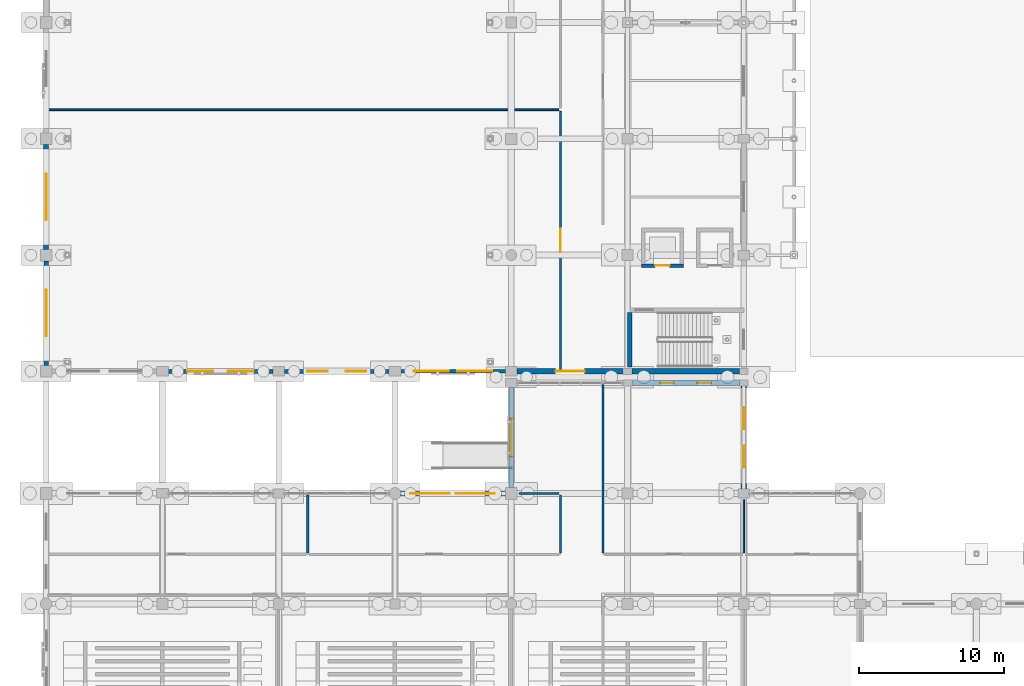
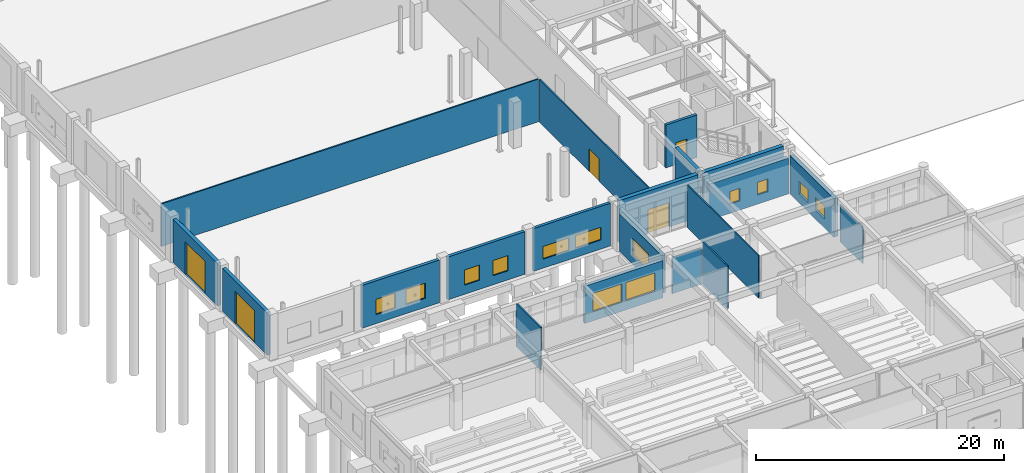
# One storey, part 130 of 166: 20 walls, 13 windows, 5 doors, 18 openings.
"""IFC4 building model written with IfcOpenShell, lengths in metres."""

from ifc_helpers import new_model, si_unit, direction, frame, frame_2d, origin, place, context, subcontext, project, spatial, rectangle, extrude, material, layer, layer_set, type_object, element, fill, save


model = new_model("IFC4")

# Units and contexts
model_context = context("Model", 3, precision=1e-05, world=origin(), true_north=direction((0.0, 1.0)))
body_context = subcontext(model_context, "Body", "Model", "MODEL_VIEW")
ifc_project = project(units=[si_unit("LENGTHUNIT", "METRE"), si_unit("AREAUNIT", "SQUARE_METRE"), si_unit("VOLUMEUNIT", "CUBIC_METRE"), si_unit("PLANEANGLEUNIT", "RADIAN"), si_unit("MASSUNIT", "GRAM", prefix="KILO")], contexts=[model_context])

# Site, building, storey
site_placement = place(None, origin())
site = spatial("IfcSite", under=ifc_project, at=site_placement, CompositionType="ELEMENT")
building_placement = place(site_placement, origin())
building = spatial("IfcBuilding", under=site, at=building_placement, Name="Kharva Crest Polytechnic", CompositionType="ELEMENT")
storey_placement = place(building_placement, origin())
storey = spatial("IfcBuildingStorey", under=building, at=storey_placement, Name="L00", CompositionType="ELEMENT", Elevation=0.0)

# Wall
ifc_material_1 = material(Name="Concrete C40/50", Category="concrete")
ifc_layer_1 = layer(ifc_material_1, 0.300048828125, Name="Concrete C40/50")
ifc_layer_set_1 = layer_set([ifc_layer_1], Name="Concrete C40/50")
wall_type_1 = type_object("IfcWallType", Name="WL-CORE-CW2-300", PredefinedType="SHEAR", material=ifc_layer_set_1)
wall_1_placement = place(storey_placement, frame((40.14990234375, 39.10009765625, 0.0), z_axis=(0.0, 0.0, 1.0), x_axis=(0.0, 1.0, 0.0)))
element("IfcWall", 1, at=wall_1_placement, inside=storey, type_object=wall_type_1, Name="L00 West Workshop Core C2 West Shear Wall", PredefinedType="SHEAR", context=body_context, shape_type="SweptSolid", body=[
    extrude(rectangle(XDim=3.760009765625, YDim=0.300048828125, at=frame_2d((1.8798828125, 0.0))), origin(), (0.0, 0.0, 1.0), 4.219970703125),
])

# Wall, openings, windows
ifc_material_2 = material(Name="Kiln brick masonry", Category="masonry")
ifc_layer_2 = layer(ifc_material_2, 0.260009765625, Name="Kiln brick masonry")
ifc_layer_set_2 = layer_set([ifc_layer_2], Name="Kiln brick masonry")
wall_type_2 = type_object("IfcWallType", Name="WL-EXT-BRK-260", PredefinedType="SOLIDWALL", material=ifc_layer_set_2)
wall_2_placement = place(storey_placement, frame((24.39501953125, 38.800048828125, 0.0), z_axis=(0.0, 0.0, 1.0), x_axis=(1.0, 0.0, 0.0)))
wall_2 = element("IfcWall", 2, at=wall_2_placement, inside=storey, type_object=wall_type_2, Name="L00 Exterior Brick Wall 69", PredefinedType="SOLIDWALL", context=body_context, shape_type="SweptSolid", body=[
    extrude(rectangle(XDim=7.2099609375, YDim=0.260009765625, at=frame_2d((3.60498046875, 0.0))), origin(), (0.0, 0.0, 1.0), 4.219970703125),
])
opening_1_placement = place(wall_2_placement, frame((0.909912109375, 0.0, 0.89990234375)))
opening_1 = element("IfcOpeningElement", 3, at=opening_1_placement, cuts=wall_2, Name="Opening W17", PredefinedType="OPENING", context=body_context, shape_type="SweptSolid", body=[
    extrude(rectangle(XDim=2.39990234375, YDim=1.25, at=frame_2d((1.199951171875, 0.625))), frame((0.0, 0.139892578125, 0.0), z_axis=(0.0, -1.0, 0.0), x_axis=(1.0, 0.0, 0.0)), (0.0, 0.0, 1.0), 0.280029296875),
])
opening_2_placement = place(wall_2_placement, frame((3.89990234375, 0.0, 0.89990234375)))
opening_2 = element("IfcOpeningElement", 4, at=opening_2_placement, cuts=wall_2, Name="Opening W17", PredefinedType="OPENING", context=body_context, shape_type="SweptSolid", body=[
    extrude(rectangle(XDim=2.39990234375, YDim=1.25, at=frame_2d((1.199951171875, 0.625))), frame((0.0, 0.139892578125, 0.0), z_axis=(0.0, -1.0, 0.0), x_axis=(1.0, 0.0, 0.0)), (0.0, 0.0, 1.0), 0.280029296875),
])
ifc_material_3 = material(Name="Anodised aluminium", Category="aluminium")
window_type_1 = type_object("IfcWindowType", Name="WIN-ALU-2400X1250", PartitioningType="SINGLE_PANEL", PredefinedType="WINDOW", material=ifc_material_3)
window_1_placement = place(opening_1_placement, origin())
window_1 = element("IfcWindow", 5, at=window_1_placement, inside=storey, type_object=window_type_1, Name="L00 Exterior Window 88", OverallHeight=1.25, OverallWidth=2.39990234375, PartitioningType="SINGLE_PANEL", PredefinedType="WINDOW", context=body_context, shape_type="SweptSolid", body=[
    extrude(rectangle(XDim=2.39990234375, YDim=1.25, at=frame_2d((1.199951171875, 0.625))), frame((0.0, 0.030029296875, 0.0), z_axis=(0.0, -1.0, 0.0), x_axis=(1.0, 0.0, 0.0)), (0.0, 0.0, 1.0), 0.06005859375),
])
fill(opening_1, window_1)
window_2_placement = place(opening_2_placement, origin())
window_2 = element("IfcWindow", 6, at=window_2_placement, inside=storey, type_object=window_type_1, Name="L00 Exterior Window 89", OverallHeight=1.25, OverallWidth=2.39990234375, PartitioningType="SINGLE_PANEL", PredefinedType="WINDOW", context=body_context, shape_type="SweptSolid", body=[
    extrude(rectangle(XDim=2.39990234375, YDim=1.25, at=frame_2d((1.199951171875, 0.625))), frame((0.0, 0.030029296875, 0.0), z_axis=(0.0, -1.0, 0.0), x_axis=(1.0, 0.0, 0.0)), (0.0, 0.0, 1.0), 0.06005859375),
])
fill(opening_2, window_2)

ifc_layer_3 = layer(ifc_material_2, 0.27490234375, Name="Kiln brick masonry")
ifc_layer_set_3 = layer_set([ifc_layer_3], Name="Kiln brick masonry")
wall_type_3 = type_object("IfcWallType", Name="WL-EXT-BRK-275", PredefinedType="SOLIDWALL", material=ifc_layer_set_3)
wall_3_placement = place(storey_placement, frame((16.39501953125, 38.800048828125, 0.0), z_axis=(0.0, 0.0, 1.0), x_axis=(1.0, 0.0, 0.0)))
wall_3 = element("IfcWall", 7, at=wall_3_placement, inside=storey, type_object=wall_type_3, Name="L00 Exterior Brick Wall 68", PredefinedType="SOLIDWALL", context=body_context, shape_type="SweptSolid", body=[
    extrude(rectangle(XDim=7.2099609375, YDim=0.27490234375, at=frame_2d((3.60498046875, 0.0))), origin(), (0.0, 0.0, 1.0), 4.219970703125),
])
opening_3_placement = place(wall_3_placement, frame((1.576904296875, 0.0, 0.89990234375)))
opening_3 = element("IfcOpeningElement", 8, at=opening_3_placement, cuts=wall_3, Name="Opening W15", PredefinedType="OPENING", context=body_context, shape_type="SweptSolid", body=[
    extrude(rectangle(XDim=1.39990234375, YDim=1.5, at=frame_2d((0.699951171875, 0.75))), frame((0.0, 0.1474609375, 0.0), z_axis=(0.0, -1.0, 0.0), x_axis=(1.0, 0.0, 0.0)), (0.0, 0.0, 1.0), 0.294921875),
])
opening_4_placement = place(wall_3_placement, frame((4.23291015625, 0.0, 0.89990234375)))
opening_4 = element("IfcOpeningElement", 9, at=opening_4_placement, cuts=wall_3, Name="Opening W15", PredefinedType="OPENING", context=body_context, shape_type="SweptSolid", body=[
    extrude(rectangle(XDim=1.39990234375, YDim=1.5, at=frame_2d((0.699951171875, 0.75))), frame((0.0, 0.1474609375, 0.0), z_axis=(0.0, -1.0, 0.0), x_axis=(1.0, 0.0, 0.0)), (0.0, 0.0, 1.0), 0.294921875),
])
window_type_2 = type_object("IfcWindowType", Name="WIN-ALU-1400X1500", PartitioningType="SINGLE_PANEL", PredefinedType="WINDOW", material=ifc_material_3)
window_3_placement = place(opening_3_placement, origin())
window_3 = element("IfcWindow", 10, at=window_3_placement, inside=storey, type_object=window_type_2, Name="L00 Exterior Window 86", OverallHeight=1.5, OverallWidth=1.39990234375, PartitioningType="SINGLE_PANEL", PredefinedType="WINDOW", context=body_context, shape_type="SweptSolid", body=[
    extrude(rectangle(XDim=1.39990234375, YDim=1.5, at=frame_2d((0.699951171875, 0.75))), frame((0.0, 0.030029296875, 0.0), z_axis=(0.0, -1.0, 0.0), x_axis=(1.0, 0.0, 0.0)), (0.0, 0.0, 1.0), 0.06005859375),
])
fill(opening_3, window_3)
window_4_placement = place(opening_4_placement, origin())
window_4 = element("IfcWindow", 11, at=window_4_placement, inside=storey, type_object=window_type_2, Name="L00 Exterior Window 87", OverallHeight=1.5, OverallWidth=1.39990234375, PartitioningType="SINGLE_PANEL", PredefinedType="WINDOW", context=body_context, shape_type="SweptSolid", body=[
    extrude(rectangle(XDim=1.39990234375, YDim=1.5, at=frame_2d((0.699951171875, 0.75))), frame((0.0, 0.030029296875, 0.0), z_axis=(0.0, -1.0, 0.0), x_axis=(1.0, 0.0, 0.0)), (0.0, 0.0, 1.0), 0.06005859375),
])
fill(opening_4, window_4)

ifc_layer_4 = layer(ifc_material_2, 0.2900390625, Name="Kiln brick masonry")
ifc_layer_set_4 = layer_set([ifc_layer_4], Name="Kiln brick masonry")
wall_type_4 = type_object("IfcWallType", Name="WL-EXT-BRK-290", PredefinedType="SOLIDWALL", material=ifc_layer_set_4)
wall_4_placement = place(storey_placement, frame((8.39501953125, 38.800048828125, 0.0), z_axis=(0.0, 0.0, 1.0), x_axis=(1.0, 0.0, 0.0)))
wall_4 = element("IfcWall", 12, at=wall_4_placement, inside=storey, type_object=wall_type_4, Name="L00 Exterior Brick Wall 67", PredefinedType="SOLIDWALL", context=body_context, shape_type="SweptSolid", body=[
    extrude(rectangle(XDim=7.2099609375, YDim=0.2900390625, at=frame_2d((3.60498046875, 0.0))), origin(), (0.0, 0.0, 1.0), 4.219970703125),
])
opening_5_placement = place(wall_4_placement, frame((1.31005859375, 0.0, 0.89990234375)))
opening_5 = element("IfcOpeningElement", 13, at=opening_5_placement, cuts=wall_4, Name="Opening W13", PredefinedType="OPENING", context=body_context, shape_type="SweptSolid", body=[
    extrude(rectangle(XDim=1.800048828125, YDim=1.5, at=frame_2d((0.89990234375, 0.75))), frame((0.0, 0.155029296875, 0.0), z_axis=(0.0, -1.0, 0.0), x_axis=(1.0, 0.0, 0.0)), (0.0, 0.0, 1.0), 0.31005859375),
])
opening_6_placement = place(wall_4_placement, frame((4.10009765625, 0.0, 0.89990234375)))
opening_6 = element("IfcOpeningElement", 14, at=opening_6_placement, cuts=wall_4, Name="Opening W13", PredefinedType="OPENING", context=body_context, shape_type="SweptSolid", body=[
    extrude(rectangle(XDim=1.800048828125, YDim=1.5, at=frame_2d((0.89990234375, 0.75))), frame((0.0, 0.155029296875, 0.0), z_axis=(0.0, -1.0, 0.0), x_axis=(1.0, 0.0, 0.0)), (0.0, 0.0, 1.0), 0.31005859375),
])
window_type_3 = type_object("IfcWindowType", Name="WIN-ALU-1800X1500", PartitioningType="SINGLE_PANEL", PredefinedType="WINDOW", material=ifc_material_3)
window_5_placement = place(opening_5_placement, origin())
window_5 = element("IfcWindow", 15, at=window_5_placement, inside=storey, type_object=window_type_3, Name="L00 Exterior Window 84", OverallHeight=1.5, OverallWidth=1.800048828125, PartitioningType="SINGLE_PANEL", PredefinedType="WINDOW", context=body_context, shape_type="SweptSolid", body=[
    extrude(rectangle(XDim=1.800048828125, YDim=1.5, at=frame_2d((0.89990234375, 0.75))), frame((0.0, 0.030029296875, 0.0), z_axis=(0.0, -1.0, 0.0), x_axis=(1.0, 0.0, 0.0)), (0.0, 0.0, 1.0), 0.06005859375),
])
fill(opening_5, window_5)
window_6_placement = place(opening_6_placement, origin())
window_6 = element("IfcWindow", 16, at=window_6_placement, inside=storey, type_object=window_type_3, Name="L00 Exterior Window 85", OverallHeight=1.5, OverallWidth=1.800048828125, PartitioningType="SINGLE_PANEL", PredefinedType="WINDOW", context=body_context, shape_type="SweptSolid", body=[
    extrude(rectangle(XDim=1.800048828125, YDim=1.5, at=frame_2d((0.89990234375, 0.75))), frame((0.0, 0.030029296875, 0.0), z_axis=(0.0, -1.0, 0.0), x_axis=(1.0, 0.0, 0.0)), (0.0, 0.0, 1.0), 0.06005859375),
])
fill(opening_6, window_6)

ifc_layer_5 = layer(ifc_material_2, 0.320068359375, Name="Kiln brick masonry")
ifc_layer_set_5 = layer_set([ifc_layer_5], Name="Kiln brick masonry")
wall_type_5 = type_object("IfcWallType", Name="WL-EXT-BRK-320", PredefinedType="SOLIDWALL", material=ifc_layer_set_5)
wall_5_placement = place(storey_placement, frame((31.60498046875, 30.39990234375, 0.0), z_axis=(0.0, 0.0, 1.0), x_axis=(-1.0, 0.0, 0.0)))
wall_5 = element("IfcWall", 17, at=wall_5_placement, inside=storey, type_object=wall_type_5, Name="L00 Exterior Brick Wall 40", PredefinedType="SOLIDWALL", context=body_context, shape_type="SweptSolid", body=[
    extrude(rectangle(XDim=7.26904296875, YDim=0.320068359375, at=frame_2d((3.634521484375, 0.0))), origin(), (0.0, 0.0, 1.0), 3.669921875),
])
opening_7_placement = place(wall_5_placement, frame((0.72998046875, 0.0, 0.89990234375)))
opening_7 = element("IfcOpeningElement", 18, at=opening_7_placement, cuts=wall_5, Name="Opening W01", PredefinedType="OPENING", context=body_context, shape_type="SweptSolid", body=[
    extrude(rectangle(XDim=2.699951171875, YDim=1.800048828125, at=frame_2d((1.35009765625, 0.89990234375))), frame((0.0, 0.169921875, 0.0), z_axis=(0.0, -1.0, 0.0), x_axis=(1.0, 0.0, 0.0)), (0.0, 0.0, 1.0), 0.340087890625),
])
opening_8_placement = place(wall_5_placement, frame((3.839111328125, 0.0, 0.89990234375)))
opening_8 = element("IfcOpeningElement", 19, at=opening_8_placement, cuts=wall_5, Name="Opening W01", PredefinedType="OPENING", context=body_context, shape_type="SweptSolid", body=[
    extrude(rectangle(XDim=2.699951171875, YDim=1.800048828125, at=frame_2d((1.35009765625, 0.89990234375))), frame((0.0, 0.169921875, 0.0), z_axis=(0.0, -1.0, 0.0), x_axis=(1.0, 0.0, 0.0)), (0.0, 0.0, 1.0), 0.340087890625),
])
window_type_4 = type_object("IfcWindowType", Name="WIN-ALU-2700X1800", PartitioningType="SINGLE_PANEL", PredefinedType="WINDOW", material=ifc_material_3)
window_7_placement = place(opening_7_placement, origin())
window_7 = element("IfcWindow", 20, at=window_7_placement, inside=storey, type_object=window_type_4, Name="L00 Exterior Window 48", OverallHeight=1.800048828125, OverallWidth=2.699951171875, PartitioningType="SINGLE_PANEL", PredefinedType="WINDOW", context=body_context, shape_type="SweptSolid", body=[
    extrude(rectangle(XDim=2.699951171875, YDim=1.800048828125, at=frame_2d((1.35009765625, 0.89990234375))), frame((0.0, 0.030029296875, 0.0), z_axis=(0.0, -1.0, 0.0), x_axis=(1.0, 0.0, 0.0)), (0.0, 0.0, 1.0), 0.06005859375),
])
fill(opening_7, window_7)
window_8_placement = place(opening_8_placement, origin())
window_8 = element("IfcWindow", 21, at=window_8_placement, inside=storey, type_object=window_type_4, Name="L00 Exterior Window 49", OverallHeight=1.800048828125, OverallWidth=2.699951171875, PartitioningType="SINGLE_PANEL", PredefinedType="WINDOW", context=body_context, shape_type="SweptSolid", body=[
    extrude(rectangle(XDim=2.699951171875, YDim=1.800048828125, at=frame_2d((1.35009765625, 0.89990234375))), frame((0.0, 0.030029296875, 0.0), z_axis=(0.0, -1.0, 0.0), x_axis=(1.0, 0.0, 0.0)), (0.0, 0.0, 1.0), 0.06005859375),
])
fill(opening_8, window_8)

# Wall, opening, door
wall_6_placement = place(storey_placement, frame((0.0, 46.405029296875, 0.0), z_axis=(0.0, 0.0, 1.0), x_axis=(0.0, -1.0, 0.0)))
wall_6 = element("IfcWall", 22, at=wall_6_placement, inside=storey, type_object=wall_type_5, Name="L00 Exterior Brick Wall 65", PredefinedType="SOLIDWALL", context=body_context, shape_type="SweptSolid", body=[
    extrude(rectangle(XDim=7.2099609375, YDim=0.320068359375, at=frame_2d((3.60498046875, 0.0))), origin(), (0.0, 0.0, 1.0), 4.219970703125),
])
opening_9_placement = place(wall_6_placement, frame((2.0048828125, 0.0, 0.0)))
opening_9 = element("IfcOpeningElement", 23, at=opening_9_placement, cuts=wall_6, Name="Opening GT2", PredefinedType="OPENING", context=body_context, shape_type="SweptSolid", body=[
    extrude(rectangle(XDim=3.199951171875, YDim=3.199951171875, at=frame_2d((1.60009765625, 1.60009765625))), frame((0.0, 0.169921875, 0.0), z_axis=(0.0, -1.0, 0.0), x_axis=(1.0, 0.0, 0.0)), (0.0, 0.0, 1.0), 0.340087890625),
])
door_type_1 = type_object("IfcDoorType", Name="DR-GATE-3200X3200", OperationType="NOTDEFINED", PredefinedType="GATE", material=ifc_material_3)
door_1_placement = place(opening_9_placement, frame((3.199951171875, 0.0, 0.0), z_axis=(0.0, 0.0, 1.0), x_axis=(-1.0, 0.0, 0.0)))
door_1 = element("IfcDoor", 24, at=door_1_placement, inside=storey, type_object=door_type_1, Name="L00 Workshop Roller Shutter Gate 5", OperationType="ROLLINGUP", OverallHeight=3.199951171875, OverallWidth=3.199951171875, PredefinedType="GATE", context=body_context, shape_type="SweptSolid", body=[
    extrude(rectangle(XDim=3.199951171875, YDim=3.199951171875, at=frame_2d((1.60009765625, 1.60009765625))), frame((0.0, 0.02490234375, 0.0), z_axis=(0.0, -1.0, 0.0), x_axis=(1.0, 0.0, 0.0)), (0.0, 0.0, 1.0), 0.050048828125),
])
fill(opening_9, door_1)

# Wall, opening, window
ifc_layer_6 = layer(ifc_material_2, 0.3349609375, Name="Kiln brick masonry")
ifc_layer_set_6 = layer_set([ifc_layer_6], Name="Kiln brick masonry")
wall_type_6 = type_object("IfcWallType", Name="WL-EXT-BRK-335", PredefinedType="SOLIDWALL", material=ifc_layer_set_6)
wall_7_placement = place(storey_placement, frame((32.0, 37.679931640625, 0.0), z_axis=(0.0, 0.0, 1.0), x_axis=(0.0, -1.0, 0.0)))
wall_7 = element("IfcWall", 25, at=wall_7_placement, inside=storey, type_object=wall_type_6, Name="L00 Exterior Brick Wall 39", PredefinedType="SOLIDWALL", context=body_context, shape_type="SweptSolid", body=[
    extrude(rectangle(XDim=6.885009765625, YDim=0.3349609375, at=frame_2d((3.4423828125, 0.0))), origin(), (0.0, 0.0, 1.0), 3.699951171875),
])
opening_10_placement = place(wall_7_placement, frame((2.14208984375, 0.0, 0.89990234375)))
opening_10 = element("IfcOpeningElement", 26, at=opening_10_placement, cuts=wall_7, Name="Opening W24", PredefinedType="OPENING", context=body_context, shape_type="SweptSolid", body=[
    extrude(rectangle(XDim=2.60009765625, YDim=1.64990234375, at=frame_2d((1.300048828125, 0.824951171875))), frame((0.0, 0.177490234375, 0.0), z_axis=(0.0, -1.0, 0.0), x_axis=(1.0, 0.0, 0.0)), (0.0, 0.0, 1.0), 0.35498046875),
])
window_type_5 = type_object("IfcWindowType", Name="WIN-ALU-2600X1650", PartitioningType="SINGLE_PANEL", PredefinedType="WINDOW", material=ifc_material_3)
window_9_placement = place(opening_10_placement, origin())
window_9 = element("IfcWindow", 27, at=window_9_placement, inside=storey, type_object=window_type_5, Name="L00 Exterior Window 47", OverallHeight=1.64990234375, OverallWidth=2.60009765625, PartitioningType="SINGLE_PANEL", PredefinedType="WINDOW", context=body_context, shape_type="SweptSolid", body=[
    extrude(rectangle(XDim=2.60009765625, YDim=1.64990234375, at=frame_2d((1.300048828125, 0.824951171875))), frame((0.0, 0.030029296875, 0.0), z_axis=(0.0, -1.0, 0.0), x_axis=(1.0, 0.0, 0.0)), (0.0, 0.0, 1.0), 0.06005859375),
])
fill(opening_10, window_9)

# Wall, opening, door
wall_8_placement = place(storey_placement, frame((0.0, 54.405029296875, 0.0), z_axis=(0.0, 0.0, 1.0), x_axis=(0.0, -1.0, 0.0)))
wall_8 = element("IfcWall", 28, at=wall_8_placement, inside=storey, type_object=wall_type_6, Name="L00 Exterior Brick Wall 64", PredefinedType="SOLIDWALL", context=body_context, shape_type="SweptSolid", body=[
    extrude(rectangle(XDim=7.2099609375, YDim=0.3349609375, at=frame_2d((3.60498046875, 0.0))), origin(), (0.0, 0.0, 1.0), 4.219970703125),
])
opening_11_placement = place(wall_8_placement, frame((2.0048828125, 0.0, 0.0)))
opening_11 = element("IfcOpeningElement", 29, at=opening_11_placement, cuts=wall_8, Name="Opening GT2", PredefinedType="OPENING", context=body_context, shape_type="SweptSolid", body=[
    extrude(rectangle(XDim=3.199951171875, YDim=3.199951171875, at=frame_2d((1.60009765625, 1.60009765625))), frame((0.0, 0.177490234375, 0.0), z_axis=(0.0, -1.0, 0.0), x_axis=(1.0, 0.0, 0.0)), (0.0, 0.0, 1.0), 0.35498046875),
])
door_2_placement = place(opening_11_placement, frame((3.199951171875, 0.0, 0.0), z_axis=(0.0, 0.0, 1.0), x_axis=(-1.0, 0.0, 0.0)))
door_2 = element("IfcDoor", 30, at=door_2_placement, inside=storey, type_object=door_type_1, Name="L00 Workshop Roller Shutter Gate 4", OperationType="ROLLINGUP", OverallHeight=3.199951171875, OverallWidth=3.199951171875, PredefinedType="GATE", context=body_context, shape_type="SweptSolid", body=[
    extrude(rectangle(XDim=3.199951171875, YDim=3.199951171875, at=frame_2d((1.60009765625, 1.60009765625))), frame((0.0, 0.02490234375, 0.0), z_axis=(0.0, -1.0, 0.0), x_axis=(1.0, 0.0, 0.0)), (0.0, 0.0, 1.0), 0.050048828125),
])
fill(opening_11, door_2)

# Wall, openings, windows
ifc_layer_7 = layer(ifc_material_2, 0.364990234375, Name="Kiln brick masonry")
ifc_layer_set_7 = layer_set([ifc_layer_7], Name="Kiln brick masonry")
wall_type_7 = type_object("IfcWallType", Name="WL-EXT-BRK-365", PredefinedType="SOLIDWALL", material=ifc_layer_set_7)
wall_9_placement = place(storey_placement, frame((47.705078125, 38.0, 0.0), z_axis=(0.0, 0.0, 1.0), x_axis=(-1.0, 0.0, 0.0)))
wall_9 = element("IfcWall", 31, at=wall_9_placement, inside=storey, type_object=wall_type_7, Name="L00 Exterior Brick Wall 38", PredefinedType="SOLIDWALL", context=body_context, shape_type="SweptSolid", body=[
    extrude(rectangle(XDim=7.41015625, YDim=0.364990234375, at=frame_2d((3.705078125, 0.0))), origin(), (0.0, 0.0, 1.0), 3.5400390625),
])
opening_12_placement = place(wall_9_placement, frame((1.943115234375, 0.0, 0.89990234375)))
opening_12 = element("IfcOpeningElement", 32, at=opening_12_placement, cuts=wall_9, Name="Opening W22", PredefinedType="OPENING", context=body_context, shape_type="SweptSolid", body=[
    extrude(rectangle(XDim=0.949951171875, YDim=1.25, at=frame_2d((0.47509765625, 0.625))), frame((0.0, 0.1923828125, 0.0), z_axis=(0.0, -1.0, 0.0), x_axis=(1.0, 0.0, 0.0)), (0.0, 0.0, 1.0), 0.385009765625),
])
opening_13_placement = place(wall_9_placement, frame((4.51708984375, 0.0, 0.89990234375)))
opening_13 = element("IfcOpeningElement", 33, at=opening_13_placement, cuts=wall_9, Name="Opening W22", PredefinedType="OPENING", context=body_context, shape_type="SweptSolid", body=[
    extrude(rectangle(XDim=0.949951171875, YDim=1.25, at=frame_2d((0.47509765625, 0.625))), frame((0.0, 0.1923828125, 0.0), z_axis=(0.0, -1.0, 0.0), x_axis=(1.0, 0.0, 0.0)), (0.0, 0.0, 1.0), 0.385009765625),
])
window_type_6 = type_object("IfcWindowType", Name="WIN-ALU-950X1250", PartitioningType="SINGLE_PANEL", PredefinedType="WINDOW", material=ifc_material_3)
window_10_placement = place(opening_12_placement, origin())
window_10 = element("IfcWindow", 34, at=window_10_placement, inside=storey, type_object=window_type_6, Name="L00 Exterior Window 45", OverallHeight=1.25, OverallWidth=0.949951171875, PartitioningType="SINGLE_PANEL", PredefinedType="WINDOW", context=body_context, shape_type="SweptSolid", body=[
    extrude(rectangle(XDim=0.949951171875, YDim=1.25, at=frame_2d((0.47509765625, 0.625))), frame((0.0, 0.030029296875, 0.0), z_axis=(0.0, -1.0, 0.0), x_axis=(1.0, 0.0, 0.0)), (0.0, 0.0, 1.0), 0.06005859375),
])
fill(opening_12, window_10)
window_11_placement = place(opening_13_placement, origin())
window_11 = element("IfcWindow", 35, at=window_11_placement, inside=storey, type_object=window_type_6, Name="L00 Exterior Window 46", OverallHeight=1.25, OverallWidth=0.949951171875, PartitioningType="SINGLE_PANEL", PredefinedType="WINDOW", context=body_context, shape_type="SweptSolid", body=[
    extrude(rectangle(XDim=0.949951171875, YDim=1.25, at=frame_2d((0.47509765625, 0.625))), frame((0.0, 0.030029296875, 0.0), z_axis=(0.0, -1.0, 0.0), x_axis=(1.0, 0.0, 0.0)), (0.0, 0.0, 1.0), 0.06005859375),
])
fill(opening_13, window_11)

# Wall
wall_10_placement = place(storey_placement, frame((40.294921875, 38.800048828125, 0.0), z_axis=(0.0, 0.0, 1.0), x_axis=(1.0, 0.0, 0.0)))
element("IfcWall", 36, at=wall_10_placement, inside=storey, type_object=wall_type_7, Name="L00 Exterior Brick Wall 71", PredefinedType="SOLIDWALL", context=body_context, shape_type="SweptSolid", body=[
    extrude(rectangle(XDim=7.41015625, YDim=0.364990234375, at=frame_2d((3.705078125, 0.0))), origin(), (0.0, 0.0, 1.0), 4.219970703125),
])

# Wall, openings, windows
ifc_layer_8 = layer(ifc_material_2, 0.3798828125, Name="Kiln brick masonry")
ifc_layer_set_8 = layer_set([ifc_layer_8], Name="Kiln brick masonry")
wall_type_8 = type_object("IfcWallType", Name="WL-EXT-BRK-380", PredefinedType="SOLIDWALL", material=ifc_layer_set_8)
wall_11_placement = place(storey_placement, frame((48.0, 30.695068359375, 0.0), z_axis=(0.0, 0.0, 1.0), x_axis=(0.0, 1.0, 0.0)))
wall_11 = element("IfcWall", 37, at=wall_11_placement, inside=storey, type_object=wall_type_8, Name="L00 Exterior Brick Wall 37", PredefinedType="SOLIDWALL", context=body_context, shape_type="SweptSolid", body=[
    extrude(rectangle(XDim=7.10986328125, YDim=0.3798828125, at=frame_2d((3.554931640625, 0.0))), origin(), (0.0, 0.0, 1.0), 3.780029296875),
])
opening_14_placement = place(wall_11_placement, frame((1.47705078125, 0.0, 0.89990234375)))
opening_14 = element("IfcOpeningElement", 38, at=opening_14_placement, cuts=wall_11, Name="Opening W20", PredefinedType="OPENING", context=body_context, shape_type="SweptSolid", body=[
    extrude(rectangle(XDim=1.5, YDim=1.25, at=frame_2d((0.75, 0.625))), frame((0.0, 0.199951171875, 0.0), z_axis=(0.0, -1.0, 0.0), x_axis=(1.0, 0.0, 0.0)), (0.0, 0.0, 1.0), 0.39990234375),
])
opening_15_placement = place(wall_11_placement, frame((4.133056640625, 0.0, 0.89990234375)))
opening_15 = element("IfcOpeningElement", 39, at=opening_15_placement, cuts=wall_11, Name="Opening W20", PredefinedType="OPENING", context=body_context, shape_type="SweptSolid", body=[
    extrude(rectangle(XDim=1.5, YDim=1.25, at=frame_2d((0.75, 0.625))), frame((0.0, 0.199951171875, 0.0), z_axis=(0.0, -1.0, 0.0), x_axis=(1.0, 0.0, 0.0)), (0.0, 0.0, 1.0), 0.39990234375),
])
window_type_7 = type_object("IfcWindowType", Name="WIN-ALU-1500X1250", PartitioningType="SINGLE_PANEL", PredefinedType="WINDOW", material=ifc_material_3)
window_12_placement = place(opening_14_placement, origin())
window_12 = element("IfcWindow", 40, at=window_12_placement, inside=storey, type_object=window_type_7, Name="L00 Exterior Window 43", OverallHeight=1.25, OverallWidth=1.5, PartitioningType="SINGLE_PANEL", PredefinedType="WINDOW", context=body_context, shape_type="SweptSolid", body=[
    extrude(rectangle(XDim=1.5, YDim=1.25, at=frame_2d((0.75, 0.625))), frame((0.0, 0.030029296875, 0.0), z_axis=(0.0, -1.0, 0.0), x_axis=(1.0, 0.0, 0.0)), (0.0, 0.0, 1.0), 0.06005859375),
])
fill(opening_14, window_12)
window_13_placement = place(opening_15_placement, origin())
window_13 = element("IfcWindow", 41, at=window_13_placement, inside=storey, type_object=window_type_7, Name="L00 Exterior Window 44", OverallHeight=1.25, OverallWidth=1.5, PartitioningType="SINGLE_PANEL", PredefinedType="WINDOW", context=body_context, shape_type="SweptSolid", body=[
    extrude(rectangle(XDim=1.5, YDim=1.25, at=frame_2d((0.75, 0.625))), frame((0.0, 0.030029296875, 0.0), z_axis=(0.0, -1.0, 0.0), x_axis=(1.0, 0.0, 0.0)), (0.0, 0.0, 1.0), 0.06005859375),
])
fill(opening_15, window_13)

# Wall, opening, door
wall_12_placement = place(storey_placement, frame((32.39501953125, 38.800048828125, 0.0), z_axis=(0.0, 0.0, 1.0), x_axis=(1.0, 0.0, 0.0)))
wall_12 = element("IfcWall", 42, at=wall_12_placement, inside=storey, type_object=wall_type_8, Name="L00 Exterior Brick Wall 70", PredefinedType="SOLIDWALL", context=body_context, shape_type="SweptSolid", body=[
    extrude(rectangle(XDim=7.31005859375, YDim=0.3798828125, at=frame_2d((3.655029296875, 0.0))), origin(), (0.0, 0.0, 1.0), 4.219970703125),
])
opening_16_placement = place(wall_12_placement, frame((2.655029296875, 0.0, 0.0)))
opening_16 = element("IfcOpeningElement", 43, at=opening_16_placement, cuts=wall_12, Name="Opening ED2", PredefinedType="OPENING", context=body_context, shape_type="SweptSolid", body=[
    extrude(rectangle(XDim=2.0, YDim=2.39990234375, at=frame_2d((1.0, 1.199951171875))), frame((0.0, 0.199951171875, 0.0), z_axis=(0.0, -1.0, 0.0), x_axis=(1.0, 0.0, 0.0)), (0.0, 0.0, 1.0), 0.39990234375),
])
door_type_2 = type_object("IfcDoorType", Name="DR-EXT-DBL-2000X2400", OperationType="NOTDEFINED", PredefinedType="DOOR", material=ifc_material_3)
door_3_placement = place(opening_16_placement, frame((2.0, 0.0, 0.0), z_axis=(0.0, 0.0, 1.0), x_axis=(-1.0, 0.0, 0.0)))
door_3 = element("IfcDoor", 44, at=door_3_placement, inside=storey, type_object=door_type_2, Name="L00 Campus Entrance Door 13", OperationType="DOUBLE_DOOR_SINGLE_SWING", OverallHeight=2.39990234375, OverallWidth=2.0, PredefinedType="DOOR", context=body_context, shape_type="SweptSolid", body=[
    extrude(rectangle(XDim=2.0, YDim=2.39990234375, at=frame_2d((1.0, 1.199951171875))), frame((0.0, 0.02490234375, 0.0), z_axis=(0.0, -1.0, 0.0), x_axis=(1.0, 0.0, 0.0)), (0.0, 0.0, 1.0), 0.050048828125),
])
fill(opening_16, door_3)

# Walls
ifc_layer_9 = layer(ifc_material_2, 0.10009765625, Name="Kiln brick masonry")
ifc_layer_set_9 = layer_set([ifc_layer_9], Name="Kiln brick masonry")
wall_type_9 = type_object("IfcWallType", Name="WL-PART-100", PredefinedType="PARTITIONING", material=ifc_layer_set_9)
wall_13_placement = place(storey_placement, frame((48.0, 26.320068359375, 0.0), z_axis=(0.0, 0.0, 1.0), x_axis=(0.0, 1.0, 0.0)))
element("IfcWall", 45, at=wall_13_placement, inside=storey, type_object=wall_type_9, Name="L00 Interior Partition 68", PredefinedType="PARTITIONING", context=body_context, shape_type="SweptSolid", body=[
    extrude(rectangle(XDim=3.64990234375, YDim=0.10009765625, at=frame_2d((1.824951171875, 0.0))), origin(), (0.0, 0.0, 1.0), 3.639892578125),
])
ifc_layer_10 = layer(ifc_material_2, 0.110107421875, Name="Kiln brick masonry")
ifc_layer_set_10 = layer_set([ifc_layer_10], Name="Kiln brick masonry")
wall_type_10 = type_object("IfcWallType", Name="WL-PART-110", PredefinedType="PARTITIONING", material=ifc_layer_set_10)
wall_14_placement = place(storey_placement, frame((38.31005859375, 26.320068359375, 0.0), z_axis=(0.0, 0.0, 1.0), x_axis=(0.0, 1.0, 0.0)))
element("IfcWall", 46, at=wall_14_placement, inside=storey, type_object=wall_type_10, Name="L00 Interior Partition 67", PredefinedType="PARTITIONING", context=body_context, shape_type="SweptSolid", body=[
    extrude(rectangle(XDim=11.56982421875, YDim=0.110107421875, at=frame_2d((5.784912109375, 0.0))), origin(), (0.0, 0.0, 1.0), 4.199951171875),
])

# Wall, opening, door
ifc_layer_11 = layer(ifc_material_2, 0.1201171875, Name="Kiln brick masonry")
ifc_layer_set_11 = layer_set([ifc_layer_11], Name="Kiln brick masonry")
wall_type_11 = type_object("IfcWallType", Name="WL-PART-120", PredefinedType="PARTITIONING", material=ifc_layer_set_11)
wall_15_placement = place(storey_placement, frame((35.389892578125, 38.909912109375, 0.0), z_axis=(0.0, 0.0, 1.0), x_axis=(0.0, 1.0, 0.0)))
wall_15 = element("IfcWall", 47, at=wall_15_placement, inside=storey, type_object=wall_type_11, Name="L00 Interior Partition 26", PredefinedType="PARTITIONING", context=body_context, shape_type="SweptSolid", body=[
    extrude(rectangle(XDim=17.780029296875, YDim=0.1201171875, at=frame_2d((8.89013671875, 0.0))), origin(), (0.0, 0.0, 1.0), 4.199951171875),
])
opening_17_placement = place(wall_15_placement, frame((8.090087890625, 0.0, 0.0)))
opening_17 = element("IfcOpeningElement", 48, at=opening_17_placement, cuts=wall_15, Name="Opening ID4", PredefinedType="OPENING", context=body_context, shape_type="SweptSolid", body=[
    extrude(rectangle(XDim=1.60009765625, YDim=2.25, at=frame_2d((0.800048828125, 1.125))), frame((0.0, 0.070068359375, 0.0), z_axis=(0.0, -1.0, 0.0), x_axis=(1.0, 0.0, 0.0)), (0.0, 0.0, 1.0), 0.14013671875),
])
ifc_material_4 = material(Name="Teak timber", Category="wood")
door_type_3 = type_object("IfcDoorType", Name="DR-WKSHP-DBL-1600X2250", OperationType="NOTDEFINED", PredefinedType="DOOR", material=ifc_material_4)
door_4_placement = place(opening_17_placement, origin())
door_4 = element("IfcDoor", 49, at=door_4_placement, inside=storey, type_object=door_type_3, Name="L00 Heavy Machining and Turning Workshop Door", OperationType="DOUBLE_DOOR_SINGLE_SWING", OverallHeight=2.25, OverallWidth=1.60009765625, PredefinedType="DOOR", context=body_context, shape_type="SweptSolid", body=[
    extrude(rectangle(XDim=1.60009765625, YDim=2.25, at=frame_2d((0.800048828125, 1.125))), frame((0.0, 0.02490234375, 0.0), z_axis=(0.0, -1.0, 0.0), x_axis=(1.0, 0.0, 0.0)), (0.0, 0.0, 1.0), 0.050048828125),
])
fill(opening_17, door_4)

# Walls
ifc_layer_12 = layer(ifc_material_2, 0.1298828125, Name="Kiln brick masonry")
ifc_layer_set_12 = layer_set([ifc_layer_12], Name="Kiln brick masonry")
wall_type_12 = type_object("IfcWallType", Name="WL-PART-130", PredefinedType="PARTITIONING", material=ifc_layer_set_12)
wall_16_placement = place(storey_placement, frame((0.110107421875, 56.800048828125, 0.0), z_axis=(0.0, 0.0, 1.0), x_axis=(1.0, 0.0, 0.0)))
element("IfcWall", 50, at=wall_16_placement, inside=storey, type_object=wall_type_12, Name="L00 Interior Partition 25", PredefinedType="PARTITIONING", context=body_context, shape_type="SweptSolid", body=[
    extrude(rectangle(XDim=35.169921875, YDim=0.1298828125, at=frame_2d((17.5849609375, 0.0))), origin(), (0.0, 0.0, 1.0), 4.199951171875),
])
wall_17_placement = place(storey_placement, frame((35.389892578125, 26.320068359375, 0.0), z_axis=(0.0, 0.0, 1.0), x_axis=(0.0, 1.0, 0.0)))
element("IfcWall", 51, at=wall_17_placement, inside=storey, type_object=wall_type_12, Name="L00 Interior Partition 65", PredefinedType="PARTITIONING", context=body_context, shape_type="SweptSolid", body=[
    extrude(rectangle(XDim=3.969970703125, YDim=0.1298828125, at=frame_2d((1.98486328125, 0.0))), origin(), (0.0, 0.0, 1.0), 4.199951171875),
])
ifc_layer_13 = layer(ifc_material_2, 0.139892578125, Name="Kiln brick masonry")
ifc_layer_set_13 = layer_set([ifc_layer_13], Name="Kiln brick masonry")
wall_type_13 = type_object("IfcWallType", Name="WL-PART-140", PredefinedType="PARTITIONING", material=ifc_layer_set_13)
wall_18_placement = place(storey_placement, frame((32.530029296875, 30.39990234375, 0.0), z_axis=(0.0, 0.0, 1.0), x_axis=(1.0, 0.0, 0.0)))
element("IfcWall", 52, at=wall_18_placement, inside=storey, type_object=wall_type_13, Name="L00 Interior Partition 64", PredefinedType="PARTITIONING", context=body_context, shape_type="SweptSolid", body=[
    extrude(rectangle(XDim=2.75, YDim=0.139892578125, at=frame_2d((1.375, 0.0))), origin(), (0.0, 0.0, 1.0), 3.56005859375),
])
ifc_layer_14 = layer(ifc_material_2, 0.159912109375, Name="Kiln brick masonry")
ifc_layer_set_14 = layer_set([ifc_layer_14], Name="Kiln brick masonry")
wall_type_14 = type_object("IfcWallType", Name="WL-PART-160", PredefinedType="PARTITIONING", material=ifc_layer_set_14)
wall_19_placement = place(storey_placement, frame((18.0, 26.320068359375, 0.0), z_axis=(0.0, 0.0, 1.0), x_axis=(0.0, 1.0, 0.0)))
element("IfcWall", 53, at=wall_19_placement, inside=storey, type_object=wall_type_14, Name="L00 Interior Partition 62", PredefinedType="PARTITIONING", context=body_context, shape_type="SweptSolid", body=[
    extrude(rectangle(XDim=3.969970703125, YDim=0.159912109375, at=frame_2d((1.98486328125, 0.0))), origin(), (0.0, 0.0, 1.0), 4.199951171875),
])

# Wall, opening, door
ifc_layer_15 = layer(ifc_material_1, 0.25, Name="Concrete C40/50")
ifc_layer_set_15 = layer_set([ifc_layer_15], Name="Concrete C40/50")
wall_type_15 = type_object("IfcWallType", Name="WL-SHEAR-SW1-250", PredefinedType="SHEAR", material=ifc_layer_set_15)
wall_20_placement = place(storey_placement, frame((40.949951171875, 46.074951171875, 0.0), z_axis=(0.0, 0.0, 1.0), x_axis=(1.0, 0.0, 0.0)))
wall_20 = element("IfcWall", 54, at=wall_20_placement, inside=storey, type_object=wall_type_15, Name="L00 Lift PL2 South Shaft Wall", PredefinedType="SHEAR", context=body_context, shape_type="SweptSolid", body=[
    extrude(rectangle(XDim=2.900146484375, YDim=0.25, at=frame_2d((1.4501953125, 0.0))), origin(), (0.0, 0.0, 1.0), 4.219970703125),
])
opening_18_placement = place(wall_20_placement, frame((0.949951171875, 0.0, 0.0)))
opening_18 = element("IfcOpeningElement", 55, at=opening_18_placement, cuts=wall_20, Name="Opening LD2", PredefinedType="OPENING", context=body_context, shape_type="SweptSolid", body=[
    extrude(rectangle(XDim=1.0, YDim=2.14990234375, at=frame_2d((0.5, 1.074951171875))), frame((0.0, 0.135009765625, 0.0), z_axis=(0.0, -1.0, 0.0), x_axis=(1.0, 0.0, 0.0)), (0.0, 0.0, 1.0), 0.27001953125),
])
door_type_4 = type_object("IfcDoorType", Name="DR-LIFT-LD2-1000X2150", OperationType="SLIDING_TO_LEFT", PredefinedType="DOOR", material=ifc_material_3)
door_5_placement = place(opening_18_placement, origin())
door_5 = element("IfcDoor", 56, at=door_5_placement, inside=storey, type_object=door_type_4, Name="L00 Lift PL2 Sliding Landing Door", OperationType="SLIDING_TO_LEFT", OverallHeight=2.14990234375, OverallWidth=1.0, PredefinedType="DOOR", context=body_context, shape_type="SweptSolid", body=[
    extrude(rectangle(XDim=1.0, YDim=2.14990234375, at=frame_2d((0.5, 1.074951171875))), frame((0.0, 0.02490234375, 0.0), z_axis=(0.0, -1.0, 0.0), x_axis=(1.0, 0.0, 0.0)), (0.0, 0.0, 1.0), 0.050048828125),
])
fill(opening_18, door_5)

save(model, "model.ifc")
